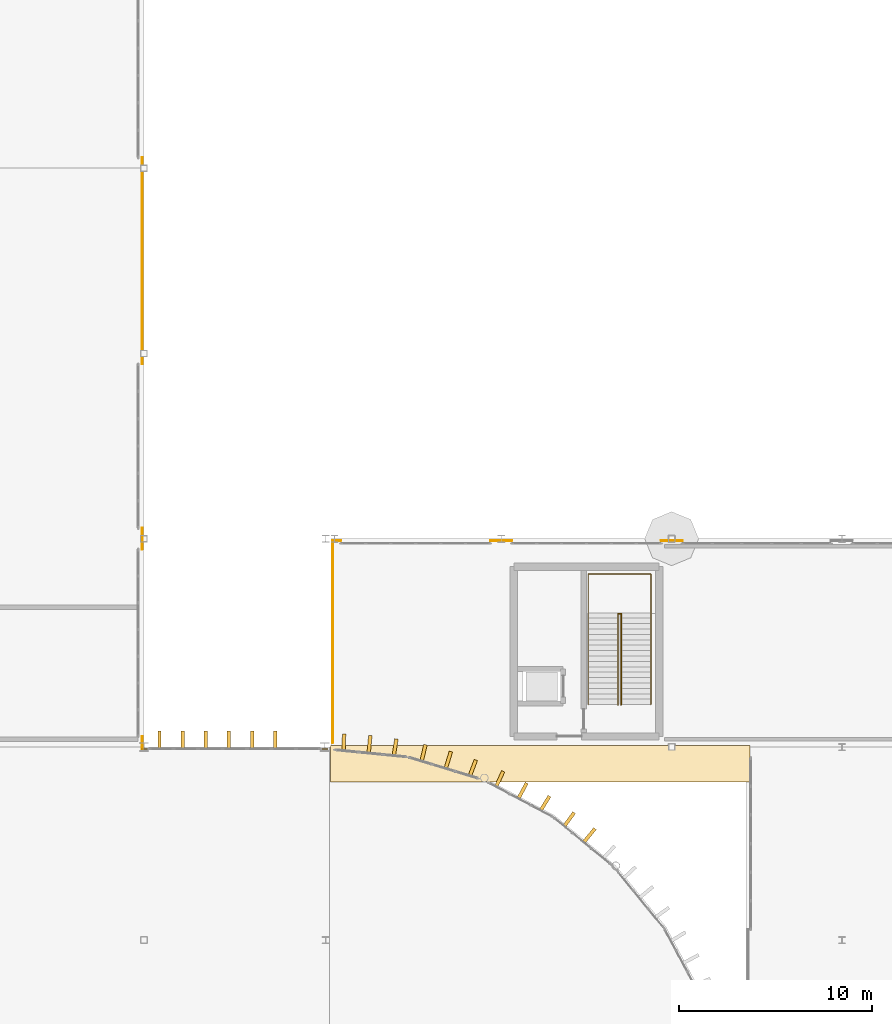
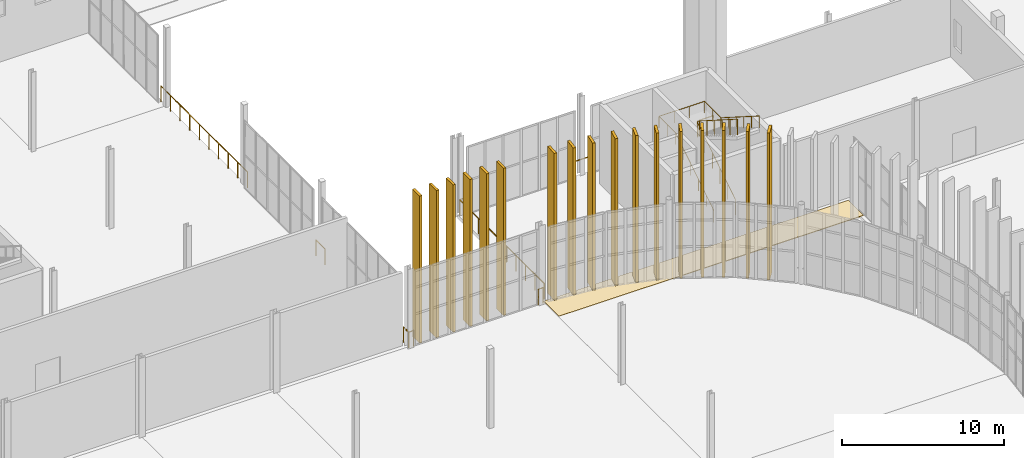
# One storey, part 134 of 139: 18 coverings, 11 railings.
"""IFC4 building model written with IfcOpenShell, lengths in metres."""

import ifcopenshell
import ifcopenshell.guid

model = None  # the IFC model being written
_history = None  # IfcOwnerHistory: only IFC2X3 demands one
_inside = {}  # id of a spatial element -> (the spatial element, [elements in it])
_under = {}  # id of a project, library or spatial element -> (it, [spatial elements below it])
_declared = {}  # id of a project -> (the project, [libraries it declares])
_typed = {}  # id of a type object -> (the type object, [elements of that type])
_made_of = {}  # id of a material, layer set ... -> (it, [elements and type objects made of it])


def new_model(schema):
    """Start an empty IFC model of exactly this schema.

    Asked for "IFC4X3", IfcOpenShell would pick the latest addendum, in which some entities
    have other attributes; the version numbers below select the first issue.
    IFC2X3 requires an IfcOwnerHistory on every rooted entity: one is made here for all.
    """
    global model, _history
    if schema == "IFC4X3":
        model = ifcopenshell.file(schema_version=(4, 3, 0, 0))
    else:
        model = ifcopenshell.file(schema=schema)
    _inside.clear()
    _under.clear()
    _declared.clear()
    _typed.clear()
    _made_of.clear()
    _history = None
    if model.schema == "IFC2X3":
        org = make("IfcOrganization", Name="unknown")
        user = make(
            "IfcPersonAndOrganization",
            ThePerson=make("IfcPerson", FamilyName="unknown"),
            TheOrganization=org,
        )
        app = make(
            "IfcApplication",
            ApplicationDeveloper=org,
            Version="unknown",
            ApplicationFullName="unknown",
            ApplicationIdentifier="unknown",
        )
        _history = make(
            "IfcOwnerHistory",
            OwningUser=user,
            OwningApplication=app,
            ChangeAction="ADDED",
            CreationDate=0,
        )
    return model


def make(cls, **values):
    """One entity of the class cls with the attributes given. An attribute that is None is left unset."""
    return model.create_entity(
        cls, **{name: value for name, value in values.items() if value is not None}
    )


def rooted(cls, **values):
    """An entity with a GlobalId (a new one), such as an element, a storey or a relation."""
    return make(cls, GlobalId=ifcopenshell.guid.new(), OwnerHistory=_history, **values)


def si_unit(unit_type, name, prefix=None):
    """IfcSIUnit, for example si_unit("LENGTHUNIT", "METRE", prefix="MILLI")."""
    return make("IfcSIUnit", UnitType=unit_type, Prefix=prefix, Name=name)


def assignment(units):
    """IfcUnitAssignment: the units of a project."""
    return None if units is None else make("IfcUnitAssignment", Units=units)


def point(xyz):
    """IfcCartesianPoint."""
    return None if xyz is None else make("IfcCartesianPoint", Coordinates=xyz)


def direction(xyz):
    """IfcDirection."""
    return None if xyz is None else make("IfcDirection", DirectionRatios=xyz)


def frame(location, z_axis=None, x_axis=None):
    """IfcAxis2Placement3D, a coordinate frame: its origin and axes. An axis left out is left unset."""
    return make(
        "IfcAxis2Placement3D",
        Location=point(location),
        Axis=direction(z_axis),
        RefDirection=direction(x_axis),
    )


def frame_2d(location, x_axis=None):
    """IfcAxis2Placement2D, a coordinate frame in the plane: its origin and x axis."""
    return make(
        "IfcAxis2Placement2D", Location=point(location), RefDirection=direction(x_axis)
    )


def origin():
    """The frame at (0, 0, 0) with its axes left unset."""
    return frame((0.0, 0.0, 0.0))


def origin_2d():
    """The frame at (0, 0) in the plane with its x axis left unset."""
    return frame_2d((0.0, 0.0))


def place(relative_to, where):
    """IfcLocalPlacement: puts the frame where relative to a parent placement (None: the world)."""
    return make(
        "IfcLocalPlacement", PlacementRelTo=relative_to, RelativePlacement=where
    )


def context(
    kind, dimensions, precision=None, world=None, true_north=None, identifier=None
):
    """IfcGeometricRepresentationContext, for example the 3D "Model" context."""
    return make(
        "IfcGeometricRepresentationContext",
        ContextIdentifier=identifier,
        ContextType=kind,
        CoordinateSpaceDimension=dimensions,
        Precision=precision,
        WorldCoordinateSystem=world,
        TrueNorth=true_north,
    )


def subcontext(parent, identifier, kind, view, scale=None):
    """IfcGeometricRepresentationSubContext, for example "Body" below "Model"."""
    return make(
        "IfcGeometricRepresentationSubContext",
        ContextIdentifier=identifier,
        ContextType=kind,
        ParentContext=parent,
        TargetScale=scale,
        TargetView=view,
    )


def project(units=None, contexts=None):
    """IfcProject with its units and contexts."""
    return rooted(
        "IfcProject",
        Name="project",
        RepresentationContexts=contexts,
        UnitsInContext=assignment(units),
    )


def spatial(cls, under=None, at=None, **own):
    """A site, building, storey or space (cls), placed at a placement, below another one or the project."""
    s = rooted(cls, ObjectPlacement=at, **own)
    if under is not None:
        _under.setdefault(under.id(), (under, []))[1].append(s)
    return s


def polyline(points):
    """IfcPolyline through the points."""
    return make("IfcPolyline", Points=[point(p) for p in points])


def profile(cls, at=None, kind="AREA", **sizes):
    """A parametric profile (cls). Its sizes go by their IFC names, for example OverallWidth=200.0."""
    return make(cls, ProfileType=kind, Position=at, **sizes)


def rectangle(**sizes):
    """IfcRectangleProfileDef."""
    return profile("IfcRectangleProfileDef", **sizes)


def circle(**sizes):
    """IfcCircleProfileDef."""
    return profile("IfcCircleProfileDef", **sizes)


def outline(outer, holes=None, kind="AREA"):
    """IfcArbitraryClosedProfileDef: a profile drawn as a closed curve; with holes, ...WithVoids."""
    if holes is None:
        return make("IfcArbitraryClosedProfileDef", ProfileType=kind, OuterCurve=outer)
    return make(
        "IfcArbitraryProfileDefWithVoids",
        ProfileType=kind,
        OuterCurve=outer,
        InnerCurves=holes,
    )


def extrude(swept, where, along, depth):
    """IfcExtrudedAreaSolid: the profile swept, set in the frame where, extruded along a direction by depth."""
    return make(
        "IfcExtrudedAreaSolid",
        SweptArea=swept,
        Position=where,
        ExtrudedDirection=direction(along),
        Depth=depth,
    )


def shape(context_of_items, identifier, shape_type, items):
    """IfcShapeRepresentation: the items that make up one representation, for example the "Body"."""
    return make(
        "IfcShapeRepresentation",
        ContextOfItems=context_of_items,
        RepresentationIdentifier=identifier,
        RepresentationType=shape_type,
        Items=items,
    )


def material(Name=None, Category=None):
    """IfcMaterial."""
    return make("IfcMaterial", Name=Name, Category=Category)


def layer(
    of_material, thickness, ventilated=None, Name=None, Category=None, Priority=None
):
    """IfcMaterialLayer: one layer of a wall or slab, of a material (None: an air gap)."""
    return make(
        "IfcMaterialLayer",
        Material=of_material,
        LayerThickness=thickness,
        IsVentilated=ventilated,
        Name=Name,
        Category=Category,
        Priority=Priority,
    )


def layer_set(layers, Name=None):
    """IfcMaterialLayerSet."""
    return make("IfcMaterialLayerSet", MaterialLayers=layers, LayerSetName=Name)


def made_of(thing, what):
    """Note that an element or type object is made of a material, layer set ...; save() writes the relation."""
    if what is not None:
        _made_of.setdefault(what.id(), (what, []))[1].append(thing)
    return thing


def type_object(cls, material=None, **own):
    """A type object (cls), such as IfcWallType, which elements share."""
    return made_of(rooted(cls, **own), material)


def element(
    cls,
    number,
    at=None,
    inside=None,
    cuts=None,
    type_object=None,
    material=None,
    context=None,
    identifier="Body",
    shape_type=None,
    held_by="IfcProductDefinitionShape",
    body=None,
    shapes=None,
    **own,
):
    """One element of the class cls, such as IfcWall. Its Tag is "e" and its number.

    at: its placement. inside: the storey or other place that contains it. cuts: it is an
    opening in that element (IfcRelVoidsElement). A single representation is given by context,
    identifier, shape_type and body (its items); several are given by shapes. held_by: the class
    of the entity that holds the representations. save() writes the other relations.
    """
    e = rooted(cls, Tag="e%d" % number, ObjectPlacement=at, **own)
    if body is not None:
        shapes = [shape(context, identifier, shape_type, body)]
    if shapes is not None:
        e.Representation = make(held_by, Representations=shapes)
    if inside is not None:
        _inside.setdefault(inside.id(), (inside, []))[1].append(e)
    if cuts is not None:
        rooted(
            "IfcRelVoidsElement", RelatingBuildingElement=cuts, RelatedOpeningElement=e
        )
    if type_object is not None:
        _typed.setdefault(type_object.id(), (type_object, []))[1].append(e)
    return made_of(e, material)


def aggregate(whole, parts):
    """IfcRelAggregates: a whole, such as a stair, and the parts it consists of."""
    return rooted("IfcRelAggregates", RelatingObject=whole, RelatedObjects=parts)


def save(model, path):
    """Write the relations noted so far, then the file.

    IfcRelAggregates (storeys below a building ...), IfcRelContainedInSpatialStructure (elements
    in a storey), IfcRelDefinesByType, IfcRelAssociatesMaterial and IfcRelDeclares: one each for
    every whole, place, type object, material and project.
    """
    for whole, parts in _under.values():
        aggregate(whole, parts)
    for where, things in _inside.values():
        rooted(
            "IfcRelContainedInSpatialStructure",
            RelatedElements=things,
            RelatingStructure=where,
        )
    for kind, things in _typed.values():
        rooted("IfcRelDefinesByType", RelatedObjects=things, RelatingType=kind)
    for what, things in _made_of.values():
        rooted("IfcRelAssociatesMaterial", RelatedObjects=things, RelatingMaterial=what)
    for by, libraries in _declared.values():
        rooted("IfcRelDeclares", RelatingContext=by, RelatedDefinitions=libraries)
    model.write(path)


model = new_model("IFC4")

# Units and contexts
model_context = context("Model", 3, precision=1e-05, world=origin(), true_north=direction((0.0, 1.0)))
body_context = subcontext(model_context, "Body", "Model", "MODEL_VIEW")
ifc_project = project(units=[si_unit("LENGTHUNIT", "METRE"), si_unit("AREAUNIT", "SQUARE_METRE"), si_unit("VOLUMEUNIT", "CUBIC_METRE"), si_unit("PLANEANGLEUNIT", "RADIAN"), si_unit("MASSUNIT", "GRAM", prefix="KILO")], contexts=[model_context])

# Site, building, storey
site_placement = place(None, origin())
site = spatial("IfcSite", under=ifc_project, at=site_placement, CompositionType="ELEMENT")
building_placement = place(site_placement, origin())
building = spatial("IfcBuilding", under=site, at=building_placement, Name="Yeouljin Market Hall", CompositionType="ELEMENT")
storey_placement = place(building_placement, origin())
storey = spatial("IfcBuildingStorey", under=building, at=storey_placement, Name="L00", CompositionType="ELEMENT", Elevation=0.0)

# Coverings
ifc_material_1 = material(Name="Pocheon Granite Stone", Category="masonry")
ifc_layer_1 = layer(ifc_material_1, 0.050048828125)
ifc_layer_set_1 = layer_set([ifc_layer_1], Name="Pocheon Granite Stone")
covering_type_1 = type_object("IfcCoveringType", Name="Covering_Granite_PlinthPaving", PredefinedType="FLOORING", material=ifc_layer_set_1)
covering_placement = place(storey_placement, frame((0.0, 0.0, -0.050048828125)))
element("IfcCovering", 1, at=covering_placement, inside=storey, type_object=covering_type_1, Name="Granite plinth exterior apron PAV-NE-COURT", PredefinedType="FLOORING", context=body_context, shape_type="SweptSolid", body=[
    extrude(outline(polyline([(141.050048828125, 76.199951171875), (162.800048828125, 76.199951171875), (162.800048828125, 78.080078125), (141.050048828125, 78.080078125), (141.050048828125, 76.199951171875)])), origin(), (0.0, 0.0, 1.0), 0.050048828125),
])
ifc_material_2 = material(Name="White Limestone and Bronze Solar Fin", Category="masonry")
ifc_layer_2 = layer(ifc_material_2, 0.179931640625)
ifc_layer_set_2 = layer_set([ifc_layer_2], Name="White Limestone and Bronze Solar Fin")
covering_type_2 = type_object("IfcCoveringType", Name="Covering_Limestone_SolarFin", PredefinedType="CLADDING", material=ifc_layer_set_2)
for number, where, z_axis, x_axis, name in (
    (2, (132.199951171875, 78.39990234375, 0.0), (0.0, 0.0, 1.0), (1.0, 0.0, 0.0), "Hall north vertical lantern fin 084"),
    (3, (133.39990234375, 78.39990234375, 0.0), (0.0, 0.0, 1.0), (1.0, 0.0, 0.0), "Hall north vertical lantern fin 085"),
    (4, (134.60009765625, 78.39990234375, 0.0), (0.0, 0.0, 1.0), (1.0, 0.0, 0.0), "Hall north vertical lantern fin 086"),
    (5, (135.800048828125, 78.39990234375, 0.0), (0.0, 0.0, 1.0), (1.0, 0.0, 0.0), "Hall north vertical lantern fin 087"),
    (6, (137.0, 78.39990234375, 0.0), (0.0, 0.0, 1.0), (1.0, 0.0, 0.0), "Hall north vertical lantern fin 088"),
    (7, (138.199951171875, 78.39990234375, 0.0), (0.0, 0.0, 1.0), (1.0, 0.0, 0.0), "Hall north vertical lantern fin 089"),
):
    element("IfcCovering", number, at=place(storey_placement, frame(where, z_axis=z_axis, x_axis=x_axis)), inside=storey, type_object=covering_type_2, Name=name, PredefinedType="CLADDING", context=body_context, shape_type="SweptSolid", body=[
        extrude(rectangle(XDim=0.179931640625, YDim=0.8798828125, at=origin_2d()), origin(), (0.0, 0.0, 1.0), 11.1201171875),
    ])
for number, where, z_axis, x_axis, name in (
    (8, (154.4873046875, 73.43408203125, 0.0), (0.0, 0.0, 1.0), (0.63432582386, 0.773065811677, 0.0), "Apse radial vertical lantern fin east 175"),
    (9, (153.4287109375, 74.24853515625, 0.0), (0.0, 0.0, 1.0), (0.584532922799, 0.811369990919, 0.0), "Apse radial vertical lantern fin east 176"),
    (10, (152.179443359375, 75.08349609375, 0.0), (0.0, 0.0, 1.0), (0.525917062677, 0.850535856496, 0.0), "Apse radial vertical lantern fin east 177"),
    (11, (151.02197265625, 75.74951171875, 0.0), (0.0, 0.0, 1.0), (0.47147369718, 0.881880123865, 0.0), "Apse radial vertical lantern fin east 178"),
    (12, (149.82470703125, 76.341796875, 0.0), (0.0, 0.0, 1.0), (0.415169640396, 0.909744013277, 0.0), "Apse radial vertical lantern fin east 179"),
    (13, (148.436767578125, 76.9169921875, 0.0), (0.0, 0.0, 1.0), (0.349716892865, 0.936855428999, 0.0), "Apse radial vertical lantern fin east 180"),
    (14, (147.17138671875, 77.344482421875, 0.0), (0.0, 0.0, 1.0), (0.290368184947, 0.956914999972, 0.0), "Apse radial vertical lantern fin east 181"),
    (15, (145.8818359375, 77.69189453125, 0.0), (0.0, 0.0, 1.0), (0.22954015041, 0.973299193131, 0.0), "Apse radial vertical lantern fin east 182"),
    (16, (144.408203125, 77.985107421875, 0.0), (0.0, 0.0, 1.0), (0.160398029092, 0.987052416168, 0.0), "Apse radial vertical lantern fin east 183"),
    (17, (143.083740234375, 78.15771484375, 0.0), (0.0, 0.0, 1.0), (0.097930293706, 0.995193276492, 0.0), "Apse radial vertical lantern fin east 184"),
    (18, (141.751220703125, 78.24658203125, 0.0), (0.0, 0.0, 1.0), (0.035422771708, 0.999372416692, 0.0), "Apse radial vertical lantern fin east 185"),
):
    element("IfcCovering", number, at=place(storey_placement, frame(where, z_axis=z_axis, x_axis=x_axis)), inside=storey, type_object=covering_type_2, Name=name, PredefinedType="CLADDING", context=body_context, shape_type="SweptSolid", body=[
        extrude(rectangle(XDim=0.8798828125, YDim=0.179931640625, at=origin_2d()), origin(), (0.0, 0.0, 1.0), 11.10009765625),
    ])

# Railings
ifc_material_3 = material(Name="Wrought Iron and Bronze Gallery Balustrade")
railing_type_1 = type_object("IfcRailingType", Name="Railing_AtriumBalustrade_1200", PredefinedType="BALUSTRADE", material=ifc_material_3)
railing_1_placement = place(storey_placement, frame((141.179931640625, 78.22998046875, 0.0)))
element("IfcRailing", 19, at=railing_1_placement, inside=storey, type_object=railing_type_1, Name="Gallery & deck edge balustrade L00-003", PredefinedType="BALUSTRADE", context=body_context, shape_type="SweptSolid", body=[
    extrude(circle(Radius=0.02392578125, at=origin_2d()), frame((0.0, 0.0, 1.17578125), z_axis=(0.0, 1.0, 0.0), x_axis=(-1.0, 0.0, 0.0)), (0.0, 0.0, 1.0), 10.469970703125),
    extrude(circle(Radius=0.02099609375, at=origin_2d()), origin(), (0.0, 0.0, 1.0), 1.15185546875),
    extrude(circle(Radius=0.02099609375, at=origin_2d()), frame((0.0, 1.163330078125, 0.0)), (0.0, 0.0, 1.0), 1.15185546875),
    extrude(circle(Radius=0.02099609375, at=origin_2d()), frame((0.0, 2.32666015625, 0.0)), (0.0, 0.0, 1.0), 1.15185546875),
    extrude(circle(Radius=0.02099609375, at=origin_2d()), frame((0.0, 3.489990234375, 0.0)), (0.0, 0.0, 1.0), 1.15185546875),
    extrude(circle(Radius=0.02099609375, at=origin_2d()), frame((0.0, 4.6533203125, 0.0)), (0.0, 0.0, 1.0), 1.15185546875),
    extrude(circle(Radius=0.02099609375, at=origin_2d()), frame((0.0, 5.816650390625, 0.0)), (0.0, 0.0, 1.0), 1.15185546875),
    extrude(circle(Radius=0.02099609375, at=origin_2d()), frame((0.0, 6.97998046875, 0.0)), (0.0, 0.0, 1.0), 1.15185546875),
    extrude(circle(Radius=0.02099609375, at=origin_2d()), frame((0.0, 8.143310546875, 0.0)), (0.0, 0.0, 1.0), 1.15185546875),
    extrude(circle(Radius=0.02099609375, at=origin_2d()), frame((0.0, 9.306640625, 0.0)), (0.0, 0.0, 1.0), 1.15185546875),
    extrude(circle(Radius=0.02099609375, at=origin_2d()), frame((0.0, 10.469970703125, 0.0)), (0.0, 0.0, 1.0), 1.15185546875),
])
railing_2_placement = place(storey_placement, frame((141.179931640625, 88.699951171875, 0.0)))
element("IfcRailing", 20, at=railing_2_placement, inside=storey, type_object=railing_type_1, Name="Gallery & deck edge balustrade L00-004", PredefinedType="BALUSTRADE", context=body_context, shape_type="SweptSolid", body=[
    extrude(circle(Radius=0.02392578125, at=origin_2d()), frame((0.0, 0.0, 1.17578125), z_axis=(1.0, 0.0, 0.0), x_axis=(0.0, 1.0, 0.0)), (0.0, 0.0, 1.0), 0.420166015625),
    extrude(circle(Radius=0.02099609375, at=origin_2d()), origin(), (0.0, 0.0, 1.0), 1.15185546875),
    extrude(circle(Radius=0.02099609375, at=origin_2d()), frame((0.420166015625, 0.0, 0.0)), (0.0, 0.0, 1.0), 1.15185546875),
])
railing_3_placement = place(storey_placement, frame((149.35009765625, 88.699951171875, 0.0)))
element("IfcRailing", 21, at=railing_3_placement, inside=storey, type_object=railing_type_1, Name="Gallery & deck edge balustrade L00-005", PredefinedType="BALUSTRADE", context=body_context, shape_type="SweptSolid", body=[
    extrude(circle(Radius=0.02392578125, at=origin_2d()), frame((0.0, 0.0, 1.17578125), z_axis=(1.0, 0.0, 0.0), x_axis=(0.0, 1.0, 0.0)), (0.0, 0.0, 1.0), 1.099853515625),
    extrude(circle(Radius=0.02099609375, at=origin_2d()), origin(), (0.0, 0.0, 1.0), 1.15185546875),
    extrude(circle(Radius=0.02099609375, at=origin_2d()), frame((1.099853515625, 0.0, 0.0)), (0.0, 0.0, 1.0), 1.15185546875),
])
railing_4_placement = place(storey_placement, frame((158.199951171875, 88.699951171875, 0.0)))
element("IfcRailing", 22, at=railing_4_placement, inside=storey, type_object=railing_type_1, Name="Gallery & deck edge balustrade L00-006", PredefinedType="BALUSTRADE", context=body_context, shape_type="SweptSolid", body=[
    extrude(circle(Radius=0.02392578125, at=origin_2d()), frame((0.0, 0.0, 1.17578125), z_axis=(1.0, 0.0, 0.0), x_axis=(0.0, 1.0, 0.0)), (0.0, 0.0, 1.0), 1.10009765625),
    extrude(circle(Radius=0.02099609375, at=origin_2d()), origin(), (0.0, 0.0, 1.0), 1.15185546875),
    extrude(circle(Radius=0.02099609375, at=origin_2d()), frame((1.10009765625, 0.0, 0.0)), (0.0, 0.0, 1.0), 1.15185546875),
])
railing_5_placement = place(storey_placement, frame((131.300048828125, 108.550048828125, 0.0)))
element("IfcRailing", 23, at=railing_5_placement, inside=storey, type_object=railing_type_1, Name="Gallery & deck edge balustrade L00-022", PredefinedType="BALUSTRADE", context=body_context, shape_type="SweptSolid", body=[
    extrude(circle(Radius=0.02392578125, at=origin_2d()), frame((0.0, 0.0, 1.17578125), z_axis=(0.0, -1.0, 0.0), x_axis=(1.0, 0.0, 0.0)), (0.0, 0.0, 1.0), 10.699951171875),
    extrude(circle(Radius=0.02099609375, at=origin_2d()), origin(), (0.0, 0.0, 1.0), 1.15185546875),
    extrude(circle(Radius=0.02099609375, at=origin_2d()), frame((0.0, -1.18896484375, 0.0)), (0.0, 0.0, 1.0), 1.15185546875),
    extrude(circle(Radius=0.02099609375, at=origin_2d()), frame((0.0, -2.377685546875, 0.0)), (0.0, 0.0, 1.0), 1.15185546875),
    extrude(circle(Radius=0.02099609375, at=origin_2d()), frame((0.0, -3.566650390625, 0.0)), (0.0, 0.0, 1.0), 1.15185546875),
    extrude(circle(Radius=0.02099609375, at=origin_2d()), frame((0.0, -4.755615234375, 0.0)), (0.0, 0.0, 1.0), 1.15185546875),
    extrude(circle(Radius=0.02099609375, at=origin_2d()), frame((0.0, -5.9443359375, 0.0)), (0.0, 0.0, 1.0), 1.15185546875),
    extrude(circle(Radius=0.02099609375, at=origin_2d()), frame((0.0, -7.13330078125, 0.0)), (0.0, 0.0, 1.0), 1.15185546875),
    extrude(circle(Radius=0.02099609375, at=origin_2d()), frame((0.0, -8.322265625, 0.0)), (0.0, 0.0, 1.0), 1.15185546875),
    extrude(circle(Radius=0.02099609375, at=origin_2d()), frame((0.0, -9.510986328125, 0.0)), (0.0, 0.0, 1.0), 1.15185546875),
    extrude(circle(Radius=0.02099609375, at=origin_2d()), frame((0.0, -10.699951171875, 0.0)), (0.0, 0.0, 1.0), 1.15185546875),
])
railing_6_placement = place(storey_placement, frame((131.300048828125, 89.35009765625, 0.0)))
element("IfcRailing", 24, at=railing_6_placement, inside=storey, type_object=railing_type_1, Name="Gallery & deck edge balustrade L00-023", PredefinedType="BALUSTRADE", context=body_context, shape_type="SweptSolid", body=[
    extrude(circle(Radius=0.02392578125, at=origin_2d()), frame((0.0, 0.0, 1.17578125), z_axis=(0.0, -1.0, 0.0), x_axis=(1.0, 0.0, 0.0)), (0.0, 0.0, 1.0), 1.10009765625),
    extrude(circle(Radius=0.02099609375, at=origin_2d()), origin(), (0.0, 0.0, 1.0), 1.15185546875),
    extrude(circle(Radius=0.02099609375, at=origin_2d()), frame((0.0, -1.10009765625, 0.0)), (0.0, 0.0, 1.0), 1.15185546875),
])
railing_7_placement = place(storey_placement, frame((131.300048828125, 78.550048828125, 0.0)))
element("IfcRailing", 25, at=railing_7_placement, inside=storey, type_object=railing_type_1, Name="Gallery & deck edge balustrade L00-024", PredefinedType="BALUSTRADE", context=body_context, shape_type="SweptSolid", body=[
    extrude(circle(Radius=0.02392578125, at=origin_2d()), frame((0.0, 0.0, 1.17578125), z_axis=(0.0, -1.0, 0.0), x_axis=(1.0, 0.0, 0.0)), (0.0, 0.0, 1.0), 0.650146484375),
    extrude(circle(Radius=0.02099609375, at=origin_2d()), origin(), (0.0, 0.0, 1.0), 1.15185546875),
    extrude(circle(Radius=0.02099609375, at=origin_2d()), frame((0.0, -0.650146484375, 0.0)), (0.0, 0.0, 1.0), 1.15185546875),
])
for number, where, name in (
    (26, (131.300048828125, 77.89990234375, 0.0), "Gallery & deck edge balustrade L00-025"),
    (27, (140.550048828125, 77.89990234375, 0.0), "Gallery & deck edge balustrade L00-026"),
):
    element("IfcRailing", number, at=place(storey_placement, frame(where)), inside=storey, type_object=railing_type_1, Name=name, PredefinedType="BALUSTRADE", context=body_context, shape_type="SweptSolid", body=[
        extrude(circle(Radius=0.02392578125, at=origin_2d()), frame((0.0, 0.0, 1.17578125), z_axis=(1.0, 0.0, 0.0), x_axis=(0.0, 1.0, 0.0)), (0.0, 0.0, 1.0), 0.349853515625),
        extrude(circle(Radius=0.02099609375, at=origin_2d()), origin(), (0.0, 0.0, 1.0), 1.15185546875),
        extrude(circle(Radius=0.02099609375, at=origin_2d()), frame((0.349853515625, 0.0, 0.0)), (0.0, 0.0, 1.0), 1.15185546875),
    ])
ifc_material_4 = material(Name="Painted Steel Stair Guardrail", Category="steel")
railing_type_2 = type_object("IfcRailingType", Name="Railing_StairGuard_1200", PredefinedType="GUARDRAIL", material=ifc_material_4)
railing_8_placement = place(storey_placement, frame((155.9599609375, 80.199951171875, 0.0)))
element("IfcRailing", 28, at=railing_8_placement, inside=storey, type_object=railing_type_2, Name="Stair ST-C4-L00 inner well guardrail", PredefinedType="GUARDRAIL", context=body_context, shape_type="SweptSolid", body=[
    extrude(circle(Radius=0.02392578125, at=origin_2d()), frame((0.0, 0.0, 1.17578125), z_axis=(0.0, 0.84395435455, 0.536414995537), x_axis=(-1.0, 0.0, 0.0)), (0.0, 0.0, 1.0), 5.5927734375),
    extrude(circle(Radius=0.02392578125, at=origin_2d()), frame((0.0, 4.719970703125, 4.17578125), z_axis=(1.0, 0.0, 0.0), x_axis=(0.0, 1.0, 0.0)), (0.0, 0.0, 1.0), 0.16015625),
    extrude(circle(Radius=0.02392578125, at=origin_2d()), frame((0.16015625, 4.719970703125, 4.17578125), z_axis=(0.0, -0.84395435455, 0.536414995537), x_axis=(1.0, 0.0, 0.0)), (0.0, 0.0, 1.0), 5.5927734375),
    extrude(circle(Radius=0.02099609375, at=origin_2d()), origin(), (0.0, 0.0, 1.0), 1.15185546875),
    extrude(circle(Radius=0.02099609375, at=origin_2d()), frame((0.0, 0.944091796875, 0.60009765625)), (0.0, 0.0, 1.0), 1.15185546875),
    extrude(circle(Radius=0.02099609375, at=origin_2d()), frame((0.0, 1.887939453125, 1.199951171875)), (0.0, 0.0, 1.0), 1.15185546875),
    extrude(circle(Radius=0.02099609375, at=origin_2d()), frame((0.0, 2.83203125, 1.800048828125)), (0.0, 0.0, 1.0), 1.15185546875),
    extrude(circle(Radius=0.02099609375, at=origin_2d()), frame((0.0, 3.77587890625, 2.39990234375)), (0.0, 0.0, 1.0), 1.15185546875),
    extrude(circle(Radius=0.02099609375, at=origin_2d()), frame((0.0, 4.719970703125, 3.0)), (0.0, 0.0, 1.0), 1.15185546875),
    extrude(circle(Radius=0.02099609375, at=origin_2d()), frame((0.16015625, 4.719970703125, 3.0)), (0.0, 0.0, 1.0), 1.15185546875),
    extrude(circle(Radius=0.02099609375, at=origin_2d()), frame((0.16015625, 3.77587890625, 3.60009765625)), (0.0, 0.0, 1.0), 1.15185546875),
    extrude(circle(Radius=0.02099609375, at=origin_2d()), frame((0.16015625, 2.83203125, 4.199951171875)), (0.0, 0.0, 1.0), 1.15185546875),
    extrude(circle(Radius=0.02099609375, at=origin_2d()), frame((0.16015625, 1.887939453125, 4.800048828125)), (0.0, 0.0, 1.0), 1.15185546875),
    extrude(circle(Radius=0.02099609375, at=origin_2d()), frame((0.16015625, 0.944091796875, 5.39990234375)), (0.0, 0.0, 1.0), 1.15185546875),
    extrude(circle(Radius=0.02099609375, at=origin_2d()), frame((0.16015625, 0.0, 6.0)), (0.0, 0.0, 1.0), 1.15185546875),
])
ifc_material_5 = material(Name="Brushed Stainless Steel", Category="steel")
railing_type_3 = type_object("IfcRailingType", Name="Railing_StairHandrail_900", PredefinedType="HANDRAIL", material=ifc_material_5)
railing_9_placement = place(storey_placement, frame((154.419921875, 80.199951171875, 0.0)))
element("IfcRailing", 29, at=railing_9_placement, inside=storey, type_object=railing_type_3, Name="Stair ST-C4-L00 wall handrail", PredefinedType="HANDRAIL", context=body_context, shape_type="SweptSolid", body=[
    extrude(circle(Radius=0.02392578125, at=origin_2d()), frame((0.0, 0.0, 0.8759765625), z_axis=(0.0, 0.84395435455, 0.536414995537), x_axis=(-1.0, 0.0, 0.0)), (0.0, 0.0, 1.0), 5.5927734375),
    extrude(circle(Radius=0.02392578125, at=origin_2d()), frame((0.0, 4.719970703125, 3.8759765625), z_axis=(0.0, 1.0, 0.0), x_axis=(-1.0, 0.0, 0.0)), (0.0, 0.0, 1.0), 2.050048828125),
    extrude(circle(Radius=0.02392578125, at=origin_2d()), frame((0.0, 6.77001953125, 3.8759765625), z_axis=(1.0, 0.0, 0.0), x_axis=(0.0, 1.0, 0.0)), (0.0, 0.0, 1.0), 3.239990234375),
    extrude(circle(Radius=0.02392578125, at=origin_2d()), frame((3.239990234375, 6.77001953125, 3.8759765625), z_axis=(0.0, -1.0, 0.0), x_axis=(1.0, 0.0, 0.0)), (0.0, 0.0, 1.0), 2.050048828125),
    extrude(circle(Radius=0.02392578125, at=origin_2d()), frame((3.239990234375, 4.719970703125, 3.8759765625), z_axis=(0.0, -0.84395435455, 0.536414995537), x_axis=(1.0, 0.0, 0.0)), (0.0, 0.0, 1.0), 5.5927734375),
    extrude(circle(Radius=0.02099609375, at=origin_2d()), origin(), (0.0, 0.0, 1.0), 0.851806640625),
    extrude(circle(Radius=0.02099609375, at=origin_2d()), frame((0.0, 0.944091796875, 0.60009765625)), (0.0, 0.0, 1.0), 0.851806640625),
    extrude(circle(Radius=0.02099609375, at=origin_2d()), frame((0.0, 1.887939453125, 1.199951171875)), (0.0, 0.0, 1.0), 0.851806640625),
    extrude(circle(Radius=0.02099609375, at=origin_2d()), frame((0.0, 2.83203125, 1.800048828125)), (0.0, 0.0, 1.0), 0.851806640625),
    extrude(circle(Radius=0.02099609375, at=origin_2d()), frame((0.0, 3.77587890625, 2.39990234375)), (0.0, 0.0, 1.0), 0.851806640625),
    extrude(circle(Radius=0.02099609375, at=origin_2d()), frame((0.0, 4.719970703125, 3.0)), (0.0, 0.0, 1.0), 0.851806640625),
    extrude(circle(Radius=0.02099609375, at=origin_2d()), frame((0.0, 5.7451171875, 3.0)), (0.0, 0.0, 1.0), 0.851806640625),
    extrude(circle(Radius=0.02099609375, at=origin_2d()), frame((0.0, 6.77001953125, 3.0)), (0.0, 0.0, 1.0), 0.851806640625),
    extrude(circle(Radius=0.02099609375, at=origin_2d()), frame((1.080078125, 6.77001953125, 3.0)), (0.0, 0.0, 1.0), 0.851806640625),
    extrude(circle(Radius=0.02099609375, at=origin_2d()), frame((2.159912109375, 6.77001953125, 3.0)), (0.0, 0.0, 1.0), 0.851806640625),
    extrude(circle(Radius=0.02099609375, at=origin_2d()), frame((3.239990234375, 6.77001953125, 3.0)), (0.0, 0.0, 1.0), 0.851806640625),
    extrude(circle(Radius=0.02099609375, at=origin_2d()), frame((3.239990234375, 5.7451171875, 3.0)), (0.0, 0.0, 1.0), 0.851806640625),
    extrude(circle(Radius=0.02099609375, at=origin_2d()), frame((3.239990234375, 4.719970703125, 3.0)), (0.0, 0.0, 1.0), 0.851806640625),
    extrude(circle(Radius=0.02099609375, at=origin_2d()), frame((3.239990234375, 3.77587890625, 3.60009765625)), (0.0, 0.0, 1.0), 0.851806640625),
    extrude(circle(Radius=0.02099609375, at=origin_2d()), frame((3.239990234375, 2.83203125, 4.199951171875)), (0.0, 0.0, 1.0), 0.851806640625),
    extrude(circle(Radius=0.02099609375, at=origin_2d()), frame((3.239990234375, 1.887939453125, 4.800048828125)), (0.0, 0.0, 1.0), 0.851806640625),
    extrude(circle(Radius=0.02099609375, at=origin_2d()), frame((3.239990234375, 0.944091796875, 5.39990234375)), (0.0, 0.0, 1.0), 0.851806640625),
    extrude(circle(Radius=0.02099609375, at=origin_2d()), frame((3.239990234375, 0.0, 6.0)), (0.0, 0.0, 1.0), 0.851806640625),
])

save(model, "model.ifc")
